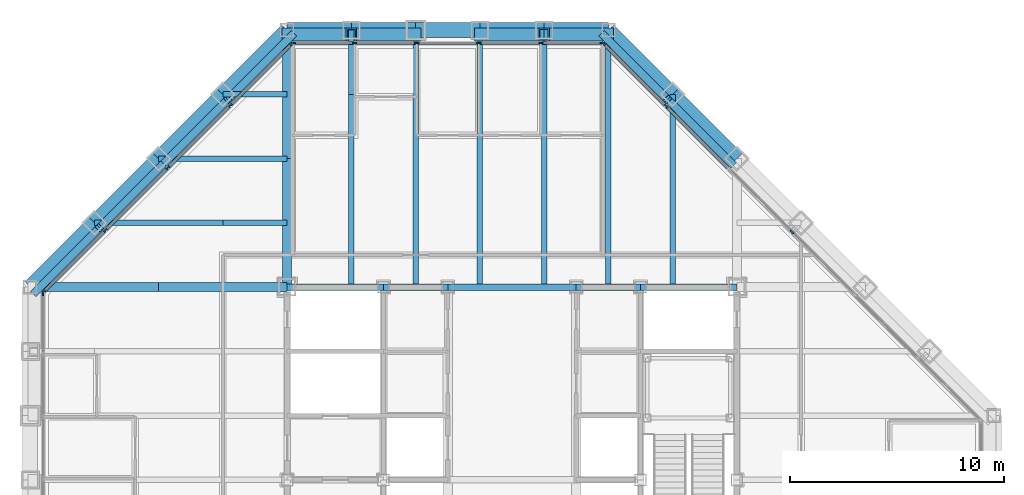
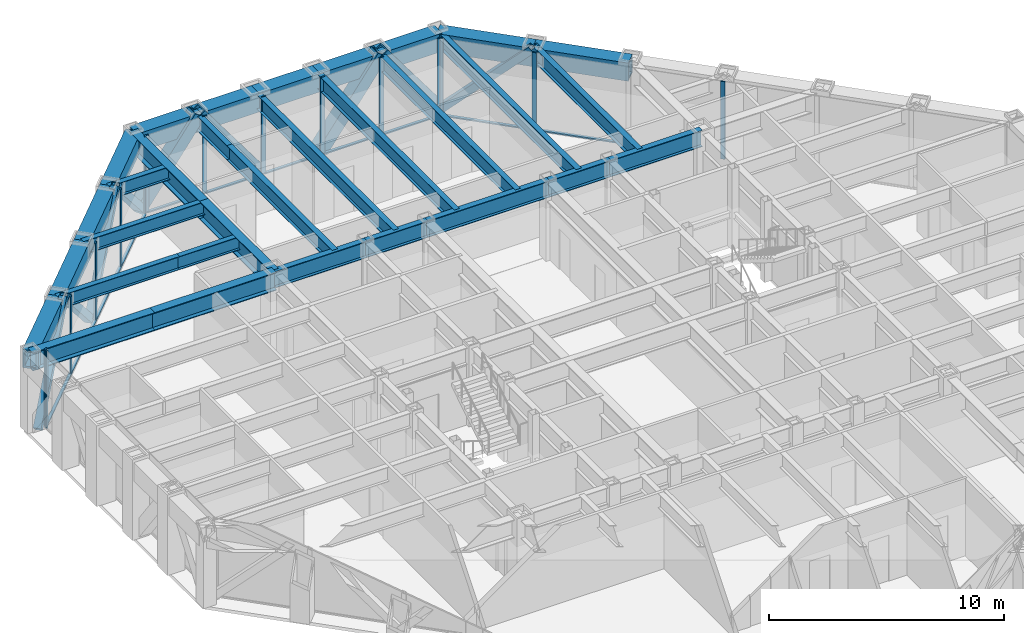
# One storey, part 8 of 16: 36 members, 31 beams, 4 elements without a shape of their own.
"""IFC4 building model written with IfcOpenShell, lengths in metres."""

from ifc_helpers import new_model, si_unit, direction, frame, origin, origin_2d, place, context, subcontext, project, spatial, rectangle, hollow_rectangle, i_section, extrude, material, layer, layer_set, material_profile, profile_set, type_object, element, aggregate, save


model = new_model("IFC4")

# Units and contexts
model_context = context("Model", 3, precision=1e-05, world=origin(), true_north=direction((0.0, 1.0)))
body_context = subcontext(model_context, "Body", "Model", "MODEL_VIEW")
ifc_project = project(units=[si_unit("LENGTHUNIT", "METRE"), si_unit("AREAUNIT", "SQUARE_METRE"), si_unit("VOLUMEUNIT", "CUBIC_METRE"), si_unit("PLANEANGLEUNIT", "RADIAN"), si_unit("MASSUNIT", "GRAM", prefix="KILO")], contexts=[model_context])

# Site, building, storey
site_placement = place(None, origin())
site = spatial("IfcSite", under=ifc_project, at=site_placement, CompositionType="ELEMENT")
building_placement = place(site_placement, origin())
building = spatial("IfcBuilding", under=site, at=building_placement, Name="Chuquiago Exchange Tower", CompositionType="ELEMENT")
storey_placement = place(building_placement, frame((0.0, 0.0, 247.5)))
storey = spatial("IfcBuildingStorey", under=building, at=storey_placement, Name="L55", CompositionType="ELEMENT", Elevation=247.5)

# Beams
ifc_material_1 = material(Name="Steel ASTM A992", Category="steel")
ifc_material_profile_1 = material_profile(ifc_material_1, i_section(OverallWidth=0.2919921875, OverallDepth=0.8583984375, WebThickness=0.01708984375, FlangeThickness=0.031005859375, at=origin_2d()), Name="W33X169")
ifc_profile_set_1 = profile_set([ifc_material_profile_1], Name="Steel ASTM A992")
beam_type_1 = type_object("IfcBeamType", Name="B3 W33X169", PredefinedType="BEAM", material=ifc_profile_set_1)
beam_1_placement = place(storey_placement, frame((12.0, 33.0, 3.610595703125), z_axis=(1.0, 0.0, 0.0), x_axis=(0.0, 1.0, 0.0)))
element("IfcBeam", 1, at=beam_1_placement, inside=storey, type_object=beam_type_1, Name="CB-L56-12_33-16.5_33", PredefinedType="BEAM", context=body_context, shape_type="SweptSolid", body=[
    extrude(i_section(OverallWidth=0.2919921875, OverallDepth=0.8583984375, WebThickness=0.01708984375, FlangeThickness=0.031005859375, at=origin_2d()), origin(), (0.0, 0.0, 1.0), 4.5),
])
beam_2_placement = place(storey_placement, frame((16.5, 33.0, 3.610595703125), z_axis=(1.0, 0.0, 0.0), x_axis=(0.0, 1.0, 0.0)))
element("IfcBeam", 2, at=beam_2_placement, inside=storey, type_object=beam_type_1, Name="CB-L56-16.5_33-19.5_33", PredefinedType="BEAM", context=body_context, shape_type="SweptSolid", body=[
    extrude(i_section(OverallWidth=0.2919921875, OverallDepth=0.8583984375, WebThickness=0.01708984375, FlangeThickness=0.031005859375, at=origin_2d()), origin(), (0.0, 0.0, 1.0), 3.0),
])
beam_3_placement = place(storey_placement, frame((19.5, 33.0, 3.610595703125), z_axis=(1.0, 0.0, 0.0), x_axis=(0.0, 1.0, 0.0)))
element("IfcBeam", 3, at=beam_3_placement, inside=storey, type_object=beam_type_1, Name="CB-L56-19.5_33-25.5_33", PredefinedType="BEAM", context=body_context, shape_type="SweptSolid", body=[
    extrude(i_section(OverallWidth=0.2919921875, OverallDepth=0.8583984375, WebThickness=0.01708984375, FlangeThickness=0.031005859375, at=origin_2d()), origin(), (0.0, 0.0, 1.0), 6.0),
])
beam_4_placement = place(storey_placement, frame((25.5, 33.0, 3.610595703125), z_axis=(1.0, 0.0, 0.0), x_axis=(0.0, 1.0, 0.0)))
element("IfcBeam", 4, at=beam_4_placement, inside=storey, type_object=beam_type_1, Name="CB-L56-25.5_33-28.5_33", PredefinedType="BEAM", context=body_context, shape_type="SweptSolid", body=[
    extrude(i_section(OverallWidth=0.2919921875, OverallDepth=0.8583984375, WebThickness=0.01708984375, FlangeThickness=0.031005859375, at=origin_2d()), origin(), (0.0, 0.0, 1.0), 3.0),
])
beam_5_placement = place(storey_placement, frame((28.5, 33.0, 3.610595703125), z_axis=(1.0, 0.0, 0.0), x_axis=(0.0, 1.0, 0.0)))
element("IfcBeam", 5, at=beam_5_placement, inside=storey, type_object=beam_type_1, Name="CB-L56-28.5_33-33_33", PredefinedType="BEAM", context=body_context, shape_type="SweptSolid", body=[
    extrude(i_section(OverallWidth=0.2919921875, OverallDepth=0.8583984375, WebThickness=0.01708984375, FlangeThickness=0.031005859375, at=origin_2d()), origin(), (0.0, 0.0, 1.0), 4.5),
])
ifc_material_2 = material(Name="Steel ASTM A992", Category="steel")
ifc_material_profile_2 = material_profile(ifc_material_2, i_section(OverallWidth=0.2666015625, OverallDepth=0.761962890625, WebThickness=0.014404296875, FlangeThickness=0.021484375, at=origin_2d()), Name="W30X116")
ifc_profile_set_2 = profile_set([ifc_material_profile_2], Name="Steel ASTM A992")
beam_type_2 = type_object("IfcBeamType", Name="B8 W30X116", PredefinedType="BEAM", material=ifc_profile_set_2)
beam_6_placement = place(storey_placement, frame((15.0, 33.0, 3.658935546875), z_axis=(0.0, 1.0, 0.0), x_axis=(-1.0, 0.0, 0.0)))
element("IfcBeam", 6, at=beam_6_placement, inside=storey, type_object=beam_type_2, Name="FB-L56-infill-15_33-15_45-0", PredefinedType="BEAM", context=body_context, shape_type="SweptSolid", body=[
    extrude(i_section(OverallWidth=0.2666015625, OverallDepth=0.761962890625, WebThickness=0.014404296875, FlangeThickness=0.021484375, at=origin_2d()), origin(), (0.0, 0.0, 1.0), 9.0),
])
beam_7_placement = place(storey_placement, frame((15.0, 42.0, 3.658935546875), z_axis=(0.0, 1.0, 0.0), x_axis=(-1.0, 0.0, 0.0)))
element("IfcBeam", 7, at=beam_7_placement, inside=storey, type_object=beam_type_2, Name="FB-L56-infill-15_33-15_45-1", PredefinedType="BEAM", context=body_context, shape_type="SweptSolid", body=[
    extrude(i_section(OverallWidth=0.2666015625, OverallDepth=0.761962890625, WebThickness=0.014404296875, FlangeThickness=0.021484375, at=origin_2d()), origin(), (0.0, 0.0, 1.0), 3.0),
])
for number, where, z_axis, x_axis, name in (
    (8, (18.0, 33.0, 3.658935546875), (0.0, 1.0, 0.0), (-1.0, 0.0, 0.0), "FB-L56-infill-18_33-18_45-0"),
    (9, (21.0, 33.0, 3.658935546875), (0.0, 1.0, 0.0), (-1.0, 0.0, 0.0), "FB-L56-infill-21_33-21_45-0"),
    (10, (24.0, 33.0, 3.658935546875), (0.0, 1.0, 0.0), (-1.0, 0.0, 0.0), "FB-L56-infill-24_33-24_45-0"),
    (11, (27.0, 33.0, 3.658935546875), (0.0, 1.0, 0.0), (-1.0, 0.0, 0.0), "FB-L56-infill-27_33-27_45-0"),
):
    element("IfcBeam", number, at=place(storey_placement, frame(where, z_axis=z_axis, x_axis=x_axis)), inside=storey, type_object=beam_type_2, Name=name, PredefinedType="BEAM", context=body_context, shape_type="SweptSolid", body=[
        extrude(i_section(OverallWidth=0.2666015625, OverallDepth=0.761962890625, WebThickness=0.014404296875, FlangeThickness=0.021484375, at=origin_2d()), origin(), (0.0, 0.0, 1.0), 12.0),
    ])
beam_8_placement = place(storey_placement, frame((30.0, 33.0, 3.658935546875), z_axis=(0.0, 1.0, 0.0), x_axis=(-1.0, 0.0, 0.0)))
element("IfcBeam", 12, at=beam_8_placement, inside=storey, type_object=beam_type_2, Name="FB-L56-infill-30_33-30_42-0", PredefinedType="BEAM", context=body_context, shape_type="SweptSolid", body=[
    extrude(i_section(OverallWidth=0.2666015625, OverallDepth=0.761962890625, WebThickness=0.014404296875, FlangeThickness=0.021484375, at=origin_2d()), origin(), (0.0, 0.0, 1.0), 9.0),
])
ifc_material_3 = material(Name="Steel ASTM A992", Category="steel")
ifc_material_profile_3 = material_profile(ifc_material_3, i_section(OverallWidth=0.256591796875, OverallDepth=0.693359375, WebThickness=0.014404296875, FlangeThickness=0.023681640625, at=origin_2d()), Name="W27X114")
ifc_profile_set_3 = profile_set([ifc_material_profile_3], Name="Steel ASTM A992")
beam_type_3 = type_object("IfcBeamType", Name="B9 W27X114", PredefinedType="BEAM", material=ifc_profile_set_3)
beam_9_placement = place(storey_placement, frame((12.0, 36.0, 3.693359375), z_axis=(-1.0, 0.0, 0.0), x_axis=(0.0, -1.0, 0.0)))
element("IfcBeam", 13, at=beam_9_placement, inside=storey, type_object=beam_type_3, Name="FB-L56-corner-12_36-3_36-0", PredefinedType="BEAM", context=body_context, shape_type="SweptSolid", body=[
    extrude(i_section(OverallWidth=0.256591796875, OverallDepth=0.693359375, WebThickness=0.014404296875, FlangeThickness=0.023681640625, at=origin_2d()), origin(), (0.0, 0.0, 1.0), 3.0),
])
for number, where, z_axis, x_axis, name in (
    (14, (9.0, 36.0, 3.693359375), (-1.0, 0.0, 0.0), (0.0, -1.0, 0.0), "FB-L56-corner-12_36-3_36-1"),
    (15, (12.0, 39.0, 3.693359375), (-1.0, 0.0, 0.0), (0.0, -1.0, 0.0), "FB-L56-corner-12_39-6_39-0"),
):
    element("IfcBeam", number, at=place(storey_placement, frame(where, z_axis=z_axis, x_axis=x_axis)), inside=storey, type_object=beam_type_3, Name=name, PredefinedType="BEAM", context=body_context, shape_type="SweptSolid", body=[
        extrude(i_section(OverallWidth=0.256591796875, OverallDepth=0.693359375, WebThickness=0.014404296875, FlangeThickness=0.023681640625, at=origin_2d()), origin(), (0.0, 0.0, 1.0), 6.0),
    ])
beam_10_placement = place(storey_placement, frame((12.0, 42.0, 3.693359375), z_axis=(-1.0, 0.0, 0.0), x_axis=(0.0, -1.0, 0.0)))
element("IfcBeam", 16, at=beam_10_placement, inside=storey, type_object=beam_type_3, Name="FB-L56-corner-12_42-9_42-0", PredefinedType="BEAM", context=body_context, shape_type="SweptSolid", body=[
    extrude(i_section(OverallWidth=0.256591796875, OverallDepth=0.693359375, WebThickness=0.014404296875, FlangeThickness=0.023681640625, at=origin_2d()), origin(), (0.0, 0.0, 1.0), 3.0),
])

# Curtain wall, members
ifc_material_4 = material(Name="Aluminium curtain wall system", Category="aluminium")
ifc_layer_1 = layer(ifc_material_4, 0.22509765625)
ifc_layer_set_1 = layer_set([ifc_layer_1], Name="CW2 office curtain wall")
curtain_wall_type_1 = type_object("IfcCurtainWallType", Name="CW2 office curtain wall", PredefinedType="NOTDEFINED", material=ifc_layer_set_1)
curtain_wall_1_placement = place(storey_placement, origin())
curtain_wall_1 = element("IfcCurtainWall", 17, at=curtain_wall_1_placement, inside=storey, type_object=curtain_wall_type_1, Name="CW2 curtain wall L55", PredefinedType="NOTDEFINED")
ifc_material_5 = material(Name="Aluminium mullion, pale anodised", Category="aluminium")
ifc_material_profile_4 = material_profile(ifc_material_5, rectangle(XDim=0.06494140625, YDim=0.22509765625, at=origin_2d()), Name="AL 65x225")
ifc_profile_set_4 = profile_set([ifc_material_profile_4], Name="Aluminium mullion, pale anodised")
member_type_1 = type_object("IfcMemberType", Name="CW2-M mullion 65x225", PredefinedType="MULLION", material=ifc_profile_set_4)
member_1_placement = place(storey_placement, frame((26.718994140625, 44.39990234375, 0.0), z_axis=(0.0, 0.0, 1.0), x_axis=(0.0, -1.0, 0.0)))
member_1 = element("IfcMember", 18, at=member_1_placement, type_object=member_type_1, Name="CW2 mullion 1", PredefinedType="MULLION", context=body_context, shape_type="SweptSolid", body=[
    extrude(rectangle(XDim=0.06494140625, YDim=0.22509765625, at=origin_2d()), origin(), (0.0, 0.0, 1.0), 4.0400390625),
])
member_2_placement = place(storey_placement, frame((23.850830078125, 44.39990234375, 0.0), z_axis=(0.0, 0.0, 1.0), x_axis=(0.0, -1.0, 0.0)))
member_2 = element("IfcMember", 19, at=member_2_placement, type_object=member_type_1, Name="CW2 mullion 2", PredefinedType="MULLION", context=body_context, shape_type="SweptSolid", body=[
    extrude(rectangle(XDim=0.06494140625, YDim=0.22509765625, at=origin_2d()), origin(), (0.0, 0.0, 1.0), 4.0400390625),
])
member_3_placement = place(storey_placement, frame((20.9501953125, 44.39990234375, 0.0), z_axis=(0.0, 0.0, 1.0), x_axis=(0.0, -1.0, 0.0)))
member_3 = element("IfcMember", 20, at=member_3_placement, type_object=member_type_1, Name="CW2 mullion 3", PredefinedType="MULLION", context=body_context, shape_type="SweptSolid", body=[
    extrude(rectangle(XDim=0.06494140625, YDim=0.22509765625, at=origin_2d()), origin(), (0.0, 0.0, 1.0), 4.0400390625),
])
member_4_placement = place(storey_placement, frame((18.0498046875, 44.39990234375, 0.0), z_axis=(0.0, 0.0, 1.0), x_axis=(0.0, -1.0, 0.0)))
member_4 = element("IfcMember", 21, at=member_4_placement, type_object=member_type_1, Name="CW2 mullion 4", PredefinedType="MULLION", context=body_context, shape_type="SweptSolid", body=[
    extrude(rectangle(XDim=0.06494140625, YDim=0.22509765625, at=origin_2d()), origin(), (0.0, 0.0, 1.0), 4.0400390625),
])
member_5_placement = place(storey_placement, frame((15.149169921875, 44.39990234375, 0.0), z_axis=(0.0, 0.0, 1.0), x_axis=(0.0, -1.0, 0.0)))
member_5 = element("IfcMember", 22, at=member_5_placement, type_object=member_type_1, Name="CW2 mullion 5", PredefinedType="MULLION", context=body_context, shape_type="SweptSolid", body=[
    extrude(rectangle(XDim=0.06494140625, YDim=0.22509765625, at=origin_2d()), origin(), (0.0, 0.0, 1.0), 4.0400390625),
])
member_6_placement = place(storey_placement, frame((12.281005859375, 44.39990234375, 0.0), z_axis=(0.0, 0.0, 1.0), x_axis=(0.0, -1.0, 0.0)))
member_6 = element("IfcMember", 23, at=member_6_placement, type_object=member_type_1, Name="CW2 mullion 6", PredefinedType="MULLION", context=body_context, shape_type="SweptSolid", body=[
    extrude(rectangle(XDim=0.06494140625, YDim=0.22509765625, at=origin_2d()), origin(), (0.0, 0.0, 1.0), 4.0400390625),
])

# Curtain wall, member
curtain_wall_2_placement = place(storey_placement, origin())
curtain_wall_2 = element("IfcCurtainWall", 24, at=curtain_wall_2_placement, inside=storey, type_object=curtain_wall_type_1, Name="CW2 curtain wall L55", PredefinedType="NOTDEFINED")
member_7_placement = place(storey_placement, frame((0.60009765625, 32.718994140625, 0.0), z_axis=(0.0, 0.0, 1.0), x_axis=(1.0, 0.0, 0.0)))
member_7 = element("IfcMember", 25, at=member_7_placement, type_object=member_type_1, Name="CW2 mullion 1", PredefinedType="MULLION", context=body_context, shape_type="SweptSolid", body=[
    extrude(rectangle(XDim=0.06494140625, YDim=0.22509765625, at=origin_2d()), origin(), (0.0, 0.0, 1.0), 4.0400390625),
])
aggregate(curtain_wall_2, [member_7])

# Member
ifc_material_6 = material(Name="Aluminium transom, pale anodised", Category="aluminium")
ifc_material_profile_5 = material_profile(ifc_material_6, rectangle(XDim=0.139892578125, YDim=0.06494140625, at=origin_2d()), Name="AL 140x65")
ifc_profile_set_5 = profile_set([ifc_material_profile_5], Name="Aluminium transom, pale anodised")
member_type_2 = type_object("IfcMemberType", Name="CW2-T transom 65x140", PredefinedType="MULLION", material=ifc_profile_set_5)
member_8_placement = place(storey_placement, frame((26.6865234375, 44.39990234375, 0.032470703125), z_axis=(-1.0, 0.0, 0.0), x_axis=(0.0, -1.0, 0.0)))
member_8 = element("IfcMember", 26, at=member_8_placement, type_object=member_type_2, Name="CW2 transom 1.1", PredefinedType="MULLION", context=body_context, shape_type="SweptSolid", body=[
    extrude(rectangle(XDim=0.139892578125, YDim=0.06494140625, at=origin_2d()), origin(), (0.0, 0.0, 1.0), 2.80322265625),
])

member_9_placement = place(storey_placement, frame((23.818359375, 44.39990234375, 0.032470703125), z_axis=(-1.0, 0.0, 0.0), x_axis=(0.0, -1.0, 0.0)))
member_9 = element("IfcMember", 27, at=member_9_placement, type_object=member_type_2, Name="CW2 transom 2.1", PredefinedType="MULLION", context=body_context, shape_type="SweptSolid", body=[
    extrude(rectangle(XDim=0.139892578125, YDim=0.06494140625, at=origin_2d()), origin(), (0.0, 0.0, 1.0), 2.83544921875),
])

member_10_placement = place(storey_placement, frame((20.917724609375, 44.39990234375, 0.032470703125), z_axis=(-1.0, 0.0, 0.0), x_axis=(0.0, -1.0, 0.0)))
member_10 = element("IfcMember", 28, at=member_10_placement, type_object=member_type_2, Name="CW2 transom 3.1", PredefinedType="MULLION", context=body_context, shape_type="SweptSolid", body=[
    extrude(rectangle(XDim=0.139892578125, YDim=0.06494140625, at=origin_2d()), origin(), (0.0, 0.0, 1.0), 2.83544921875),
])

member_11_placement = place(storey_placement, frame((18.01708984375, 44.39990234375, 0.032470703125), z_axis=(-1.0, 0.0, 0.0), x_axis=(0.0, -1.0, 0.0)))
member_11 = element("IfcMember", 29, at=member_11_placement, type_object=member_type_2, Name="CW2 transom 4.1", PredefinedType="MULLION", context=body_context, shape_type="SweptSolid", body=[
    extrude(rectangle(XDim=0.139892578125, YDim=0.06494140625, at=origin_2d()), origin(), (0.0, 0.0, 1.0), 2.83544921875),
])

member_12_placement = place(storey_placement, frame((15.11669921875, 44.39990234375, 0.032470703125), z_axis=(-1.0, 0.0, 0.0), x_axis=(0.0, -1.0, 0.0)))
member_12 = element("IfcMember", 30, at=member_12_placement, type_object=member_type_2, Name="CW2 transom 5.1", PredefinedType="MULLION", context=body_context, shape_type="SweptSolid", body=[
    extrude(rectangle(XDim=0.139892578125, YDim=0.06494140625, at=origin_2d()), origin(), (0.0, 0.0, 1.0), 2.80322265625),
])

aggregate(curtain_wall_1, [member_1, member_2, member_3, member_4, member_5, member_6, member_8, member_9, member_10, member_11, member_12])

# Curtain wall, members
ifc_material_7 = material(Name="Aluminium curtain wall system", Category="aluminium")
ifc_layer_2 = layer(ifc_material_7, 0.199951171875)
ifc_layer_set_2 = layer_set([ifc_layer_2], Name="CW3 facet curtain wall")
curtain_wall_type_2 = type_object("IfcCurtainWallType", Name="CW3 facet curtain wall", PredefinedType="NOTDEFINED", material=ifc_layer_set_2)
curtain_wall_3_placement = place(storey_placement, origin())
curtain_wall_3 = element("IfcCurtainWall", 31, at=curtain_wall_3_placement, inside=storey, type_object=curtain_wall_type_2, Name="CW3 curtain wall L55", PredefinedType="NOTDEFINED")
ifc_material_8 = material(Name="Aluminium mullion, pale anodised", Category="aluminium")
ifc_material_profile_6 = material_profile(ifc_material_8, rectangle(XDim=0.06494140625, YDim=0.199951171875, at=origin_2d()), Name="AL 65x200")
ifc_profile_set_6 = profile_set([ifc_material_profile_6], Name="Aluminium mullion, pale anodised")
member_type_3 = type_object("IfcMemberType", Name="CW3-M mullion 65x200", PredefinedType="MULLION", material=ifc_profile_set_6)
member_13_placement = place(storey_placement, frame((35.57568359375, 35.57568359375, 0.0), z_axis=(0.0, 0.0, 1.0), x_axis=(-0.707106781187, -0.707106781187, 0.0)))
member_13 = element("IfcMember", 32, at=member_13_placement, type_object=member_type_3, Name="CW3 mullion 4", PredefinedType="MULLION", context=body_context, shape_type="SweptSolid", body=[
    extrude(rectangle(XDim=0.06494140625, YDim=0.199951171875, at=origin_2d()), origin(), (0.0, 0.0, 1.0), 4.0400390625),
])
member_14_placement = place(storey_placement, frame((29.69287109375, 41.45849609375, 0.0), z_axis=(0.0, 0.0, 1.0), x_axis=(-0.707106781187, -0.707106781187, 0.0)))
member_14 = element("IfcMember", 33, at=member_14_placement, type_object=member_type_3, Name="CW3 mullion 6", PredefinedType="MULLION", context=body_context, shape_type="SweptSolid", body=[
    extrude(rectangle(XDim=0.06494140625, YDim=0.199951171875, at=origin_2d()), origin(), (0.0, 0.0, 1.0), 4.0400390625),
])
member_15_placement = place(storey_placement, frame((26.7744140625, 44.376953125, 0.0), z_axis=(0.0, 0.0, 1.0), x_axis=(-0.707106781187, -0.707106781187, 0.0)))
member_15 = element("IfcMember", 34, at=member_15_placement, type_object=member_type_3, Name="CW3 mullion 7", PredefinedType="MULLION", context=body_context, shape_type="SweptSolid", body=[
    extrude(rectangle(XDim=0.06494140625, YDim=0.199951171875, at=origin_2d()), origin(), (0.0, 0.0, 1.0), 4.0400390625),
])

curtain_wall_4_placement = place(storey_placement, origin())
curtain_wall_4 = element("IfcCurtainWall", 35, at=curtain_wall_4_placement, inside=storey, type_object=curtain_wall_type_2, Name="CW3 curtain wall L55", PredefinedType="NOTDEFINED")
member_16_placement = place(storey_placement, frame((12.2255859375, 44.376953125, 0.0), z_axis=(0.0, 0.0, 1.0), x_axis=(0.707106781187, -0.707106781187, 0.0)))
member_16 = element("IfcMember", 36, at=member_16_placement, type_object=member_type_3, Name="CW3 mullion 1", PredefinedType="MULLION", context=body_context, shape_type="SweptSolid", body=[
    extrude(rectangle(XDim=0.06494140625, YDim=0.199951171875, at=origin_2d()), origin(), (0.0, 0.0, 1.0), 4.0400390625),
])
member_17_placement = place(storey_placement, frame((9.33642578125, 41.48779296875, 0.0), z_axis=(0.0, 0.0, 1.0), x_axis=(0.707106781187, -0.707106781187, 0.0)))
member_17 = element("IfcMember", 37, at=member_17_placement, type_object=member_type_3, Name="CW3 mullion 2", PredefinedType="MULLION", context=body_context, shape_type="SweptSolid", body=[
    extrude(rectangle(XDim=0.06494140625, YDim=0.199951171875, at=origin_2d()), origin(), (0.0, 0.0, 1.0), 4.0400390625),
])
member_18_placement = place(storey_placement, frame((6.42431640625, 38.57568359375, 0.0), z_axis=(0.0, 0.0, 1.0), x_axis=(0.707106781187, -0.707106781187, 0.0)))
member_18 = element("IfcMember", 38, at=member_18_placement, type_object=member_type_3, Name="CW3 mullion 3", PredefinedType="MULLION", context=body_context, shape_type="SweptSolid", body=[
    extrude(rectangle(XDim=0.06494140625, YDim=0.199951171875, at=origin_2d()), origin(), (0.0, 0.0, 1.0), 4.0400390625),
])
member_19_placement = place(storey_placement, frame((3.51220703125, 35.66357421875, 0.0), z_axis=(0.0, 0.0, 1.0), x_axis=(0.707106781187, -0.707106781187, 0.0)))
member_19 = element("IfcMember", 39, at=member_19_placement, type_object=member_type_3, Name="CW3 mullion 4", PredefinedType="MULLION", context=body_context, shape_type="SweptSolid", body=[
    extrude(rectangle(XDim=0.06494140625, YDim=0.199951171875, at=origin_2d()), origin(), (0.0, 0.0, 1.0), 4.0400390625),
])
member_20_placement = place(storey_placement, frame((0.623046875, 32.7744140625, 0.0), z_axis=(0.0, 0.0, 1.0), x_axis=(0.707106781187, -0.707106781187, 0.0)))
member_20 = element("IfcMember", 40, at=member_20_placement, type_object=member_type_3, Name="CW3 mullion 5", PredefinedType="MULLION", context=body_context, shape_type="SweptSolid", body=[
    extrude(rectangle(XDim=0.06494140625, YDim=0.199951171875, at=origin_2d()), origin(), (0.0, 0.0, 1.0), 4.0400390625),
])

# Member
ifc_material_9 = material(Name="Aluminium transom, pale anodised", Category="aluminium")
ifc_material_profile_7 = material_profile(ifc_material_9, rectangle(XDim=0.139892578125, YDim=0.06494140625, at=origin_2d()), Name="AL 140x65")
ifc_profile_set_7 = profile_set([ifc_material_profile_7], Name="Aluminium transom, pale anodised")
member_type_4 = type_object("IfcMemberType", Name="CW3-T transom 65x140", PredefinedType="MULLION", material=ifc_profile_set_7)
member_21_placement = place(storey_placement, frame((32.611328125, 38.5400390625, 0.032470703125), z_axis=(-0.707106781187, 0.707106781187, 0.0), x_axis=(-0.707106781187, -0.707106781187, 0.0)))
member_21 = element("IfcMember", 41, at=member_21_placement, type_object=member_type_4, Name="CW3 transom 5.1", PredefinedType="MULLION", context=body_context, shape_type="SweptSolid", body=[
    extrude(rectangle(XDim=0.139892578125, YDim=0.06494140625, at=origin_2d()), origin(), (0.0, 0.0, 1.0), 4.094970703125),
])

member_22_placement = place(storey_placement, frame((29.669921875, 41.4814453125, 0.032470703125), z_axis=(-0.707106781187, 0.707106781187, 0.0), x_axis=(-0.707106781187, -0.707106781187, 0.0)))
member_22 = element("IfcMember", 42, at=member_22_placement, type_object=member_type_4, Name="CW3 transom 6.1", PredefinedType="MULLION", context=body_context, shape_type="SweptSolid", body=[
    extrude(rectangle(XDim=0.139892578125, YDim=0.06494140625, at=origin_2d()), origin(), (0.0, 0.0, 1.0), 4.0625),
])

aggregate(curtain_wall_3, [member_13, member_14, member_15, member_21, member_22])

member_23_placement = place(storey_placement, frame((12.20263671875, 44.35400390625, 0.032470703125), z_axis=(-0.707106781187, -0.707106781187, 0.0), x_axis=(0.707106781187, -0.707106781187, 0.0)))
member_23 = element("IfcMember", 43, at=member_23_placement, type_object=member_type_4, Name="CW3 transom 1.1", PredefinedType="MULLION", context=body_context, shape_type="SweptSolid", body=[
    extrude(rectangle(XDim=0.139892578125, YDim=0.06494140625, at=origin_2d()), origin(), (0.0, 0.0, 1.0), 4.02099609375),
])

member_24_placement = place(storey_placement, frame((9.3134765625, 41.46484375, 0.032470703125), z_axis=(-0.707106781187, -0.707106781187, 0.0), x_axis=(0.707106781187, -0.707106781187, 0.0)))
member_24 = element("IfcMember", 44, at=member_24_placement, type_object=member_type_4, Name="CW3 transom 2.1", PredefinedType="MULLION", context=body_context, shape_type="SweptSolid", body=[
    extrude(rectangle(XDim=0.139892578125, YDim=0.06494140625, at=origin_2d()), origin(), (0.0, 0.0, 1.0), 4.053466796875),
])

member_25_placement = place(storey_placement, frame((6.4013671875, 38.552734375, 0.032470703125), z_axis=(-0.707106781187, -0.707106781187, 0.0), x_axis=(0.707106781187, -0.707106781187, 0.0)))
member_25 = element("IfcMember", 45, at=member_25_placement, type_object=member_type_4, Name="CW3 transom 3.1", PredefinedType="MULLION", context=body_context, shape_type="SweptSolid", body=[
    extrude(rectangle(XDim=0.139892578125, YDim=0.06494140625, at=origin_2d()), origin(), (0.0, 0.0, 1.0), 4.053466796875),
])

member_26_placement = place(storey_placement, frame((3.4892578125, 35.640625, 0.032470703125), z_axis=(-0.707106781187, -0.707106781187, 0.0), x_axis=(0.707106781187, -0.707106781187, 0.0)))
member_26 = element("IfcMember", 46, at=member_26_placement, type_object=member_type_4, Name="CW3 transom 4.1", PredefinedType="MULLION", context=body_context, shape_type="SweptSolid", body=[
    extrude(rectangle(XDim=0.139892578125, YDim=0.06494140625, at=origin_2d()), origin(), (0.0, 0.0, 1.0), 4.02099609375),
])

aggregate(curtain_wall_4, [member_16, member_17, member_18, member_19, member_20, member_23, member_24, member_25, member_26])

# Beams
ifc_material_10 = material(Name="Steel ASTM A992", Category="steel")
ifc_material_profile_8 = material_profile(ifc_material_10, i_section(OverallWidth=0.424072265625, OverallDepth=0.947509765625, WebThickness=0.02392578125, FlangeThickness=0.042724609375, at=origin_2d()), Name="W36X302")
ifc_profile_set_8 = profile_set([ifc_material_profile_8], Name="Steel ASTM A992")
beam_type_4 = type_object("IfcBeamType", Name="G4 W36X302", PredefinedType="BEAM", material=ifc_profile_set_8)
for number, where, z_axis, x_axis, name in (
    (47, (12.0, 33.0, 3.56640625), (0.0, 1.0, 0.0), (-1.0, 0.0, 0.0), "FB-L56-girder-12_33-12_45-0"),
    (48, (12.0, 39.0, 3.56640625), (0.0, 1.0, 0.0), (-1.0, 0.0, 0.0), "FB-L56-girder-12_33-12_45-1"),
    (49, (12.0, 33.0, 3.56640625), (-1.0, 0.0, 0.0), (0.0, -1.0, 0.0), "FB-L56-girder-12_33--0_33-0"),
    (50, (6.0, 33.0, 3.56640625), (-1.0, 0.0, 0.0), (0.0, -1.0, 0.0), "FB-L56-girder-12_33--0_33-1"),
):
    element("IfcBeam", number, at=place(storey_placement, frame(where, z_axis=z_axis, x_axis=x_axis)), inside=storey, type_object=beam_type_4, Name=name, PredefinedType="BEAM", context=body_context, shape_type="SweptSolid", body=[
        extrude(i_section(OverallWidth=0.424072265625, OverallDepth=0.947509765625, WebThickness=0.02392578125, FlangeThickness=0.042724609375, at=origin_2d()), origin(), (0.0, 0.0, 1.0), 6.0),
    ])

# Members
ifc_material_11 = material(Name="Steel ASTM A500 Grade C", Category="steel")
ifc_material_profile_9 = material_profile(ifc_material_11, hollow_rectangle(XDim=0.355712890625, YDim=0.355712890625, WallThickness=0.0146484375, at=origin_2d()), Name="HSS14X14X5/8")
ifc_profile_set_9 = profile_set([ifc_material_profile_9], Name="Steel ASTM A500 Grade C")
member_type_5 = type_object("IfcMemberType", Name="LB2 HSS14X14X5/8", PredefinedType="BRACE", material=ifc_profile_set_9)
for number, where, z_axis, x_axis, name in (
    (51, (32.7685546875, 38.7685546875, 0.0), (-0.512077265487, 0.512077265487, 0.689604051861), (-0.707106781187, -0.707106781187, 0.0), "LB-L55-33_39-30_42"),
    (52, (26.7685546875, 44.7685546875, 0.0), (0.512077265487, -0.512077265487, 0.689604051861), (0.707106781187, 0.707106781187, 0.0), "LB-L55-30_42-27_45"),
    (53, (12.2314453125, 44.7685546875, 0.0), (-0.512077265487, -0.512077265487, 0.689604051861), (0.707106781187, -0.707106781187, 0.0), "LB-L55-12_45-9_42"),
    (54, (6.2314453125, 38.7685546875, 0.0), (0.512077265487, 0.512077265487, 0.689604051861), (-0.707106781187, 0.707106781187, 0.0), "LB-L55-9_42-6_39"),
    (55, (6.2314453125, 38.7685546875, 0.0), (-0.512077265487, -0.512077265487, 0.689604051861), (0.707106781187, -0.707106781187, 0.0), "LB-L55-6_39-3_36"),
    (56, (0.2314453125, 32.7685546875, 0.0), (0.512077265487, 0.512077265487, 0.689604051861), (-0.707106781187, 0.707106781187, 0.0), "LB-L55-3_36-0_33"),
):
    element("IfcMember", number, at=place(storey_placement, frame(where, z_axis=z_axis, x_axis=x_axis)), inside=storey, type_object=member_type_5, Name=name, PredefinedType="BRACE", context=body_context, shape_type="SweptSolid", body=[
        extrude(hollow_rectangle(XDim=0.355712890625, YDim=0.355712890625, WallThickness=0.0146484375, at=origin_2d()), origin(), (0.0, 0.0, 1.0), 5.8583984375),
    ])
ifc_material_12 = material(Name="Steel ASTM A572 Grade 50", Category="steel")
ifc_material_profile_10 = material_profile(ifc_material_12, hollow_rectangle(XDim=0.60009765625, YDim=0.60009765625, WallThickness=0.06005859375, at=origin_2d()), Name="BOX600X600X60")
ifc_profile_set_10 = profile_set([ifc_material_profile_10], Name="Steel ASTM A572 Grade 50")
member_type_6 = type_object("IfcMemberType", Name="MB3 BOX600X600X60", PredefinedType="BRACE", material=ifc_profile_set_10)
for number, where, z_axis, x_axis, name in (
    (57, (27.0, 44.794921875, 0.0), (-0.596173923302, 0.0, 0.802855312728), (0.0, -1.0, 0.0), "Mega diagonal L55 N face"),
    (58, (21.0, 44.794921875, 0.0), (0.596173923302, 0.0, 0.802855312728), (0.0, 1.0, 0.0), "Mega diagonal L55 N face"),
    (59, (18.0, 44.794921875, 0.0), (-0.596173923302, 0.0, 0.802855312728), (0.0, -1.0, 0.0), "Mega diagonal L55 N face"),
    (60, (12.0, 44.794921875, 0.0), (0.596173923302, 0.0, 0.802855312728), (0.0, 1.0, 0.0), "Mega diagonal L55 N face"),
):
    element("IfcMember", number, at=place(storey_placement, frame(where, z_axis=z_axis, x_axis=x_axis)), inside=storey, type_object=member_type_6, Name=name, PredefinedType="BRACE", context=body_context, shape_type="SweptSolid", body=[
        extrude(hollow_rectangle(XDim=0.60009765625, YDim=0.60009765625, WallThickness=0.06005859375, at=origin_2d()), origin(), (0.0, 0.0, 1.0), 5.031982421875),
    ])

# Beams
ifc_material_13 = material(Name="Steel ASTM A572 Grade 50", Category="steel")
ifc_material_profile_11 = material_profile(ifc_material_13, hollow_rectangle(XDim=0.699951171875, YDim=0.949951171875, WallThickness=0.10009765625, at=origin_2d()), Name="BOX950X700X100")
ifc_profile_set_11 = profile_set([ifc_material_profile_11], Name="Steel ASTM A572 Grade 50")
beam_type_5 = type_object("IfcBeamType", Name="SP5 BOX950X700X100", PredefinedType="SPANDREL", material=ifc_profile_set_11)
for number, where, z_axis, x_axis, name in (
    (61, (33.0, 39.0, 3.56494140625), (-0.707106781187, 0.707106781187, 0.0), (-0.707106781187, -0.707106781187, 0.0), "SPB-L56-33_39-30_42"),
    (62, (30.0, 42.0, 3.56494140625), (-0.707106781187, 0.707106781187, 0.0), (-0.707106781187, -0.707106781187, 0.0), "SPB-L56-30_42-27_45"),
):
    element("IfcBeam", number, at=place(storey_placement, frame(where, z_axis=z_axis, x_axis=x_axis)), inside=storey, type_object=beam_type_5, Name=name, PredefinedType="SPANDREL", context=body_context, shape_type="SweptSolid", body=[
        extrude(hollow_rectangle(XDim=0.699951171875, YDim=0.949951171875, WallThickness=0.10009765625, at=origin_2d()), origin(), (0.0, 0.0, 1.0), 4.24267578125),
    ])
for number, where, z_axis, x_axis, name in (
    (63, (27.0, 45.0, 3.56494140625), (-1.0, 0.0, 0.0), (0.0, -1.0, 0.0), "SPB-L56-27_45-24_45"),
    (64, (24.0, 45.0, 3.56494140625), (-1.0, 0.0, 0.0), (0.0, -1.0, 0.0), "SPB-L56-24_45-21_45"),
    (65, (21.0, 45.0, 3.56494140625), (-1.0, 0.0, 0.0), (0.0, -1.0, 0.0), "SPB-L56-21_45-18_45"),
    (66, (18.0, 45.0, 3.56494140625), (-1.0, 0.0, 0.0), (0.0, -1.0, 0.0), "SPB-L56-18_45-15_45"),
    (67, (15.0, 45.0, 3.56494140625), (-1.0, 0.0, 0.0), (0.0, -1.0, 0.0), "SPB-L56-15_45-12_45"),
):
    element("IfcBeam", number, at=place(storey_placement, frame(where, z_axis=z_axis, x_axis=x_axis)), inside=storey, type_object=beam_type_5, Name=name, PredefinedType="SPANDREL", context=body_context, shape_type="SweptSolid", body=[
        extrude(hollow_rectangle(XDim=0.699951171875, YDim=0.949951171875, WallThickness=0.10009765625, at=origin_2d()), origin(), (0.0, 0.0, 1.0), 3.0),
    ])
for number, where, z_axis, x_axis, name in (
    (68, (12.0, 45.0, 3.56494140625), (-0.707106781187, -0.707106781187, 0.0), (0.707106781187, -0.707106781187, 0.0), "SPB-L56-12_45-9_42"),
    (69, (9.0, 42.0, 3.56494140625), (-0.707106781187, -0.707106781187, 0.0), (0.707106781187, -0.707106781187, 0.0), "SPB-L56-9_42-6_39"),
    (70, (6.0, 39.0, 3.56494140625), (-0.707106781187, -0.707106781187, 0.0), (0.707106781187, -0.707106781187, 0.0), "SPB-L56-6_39-3_36"),
    (71, (3.0, 36.0, 3.56494140625), (-0.707106781187, -0.707106781187, 0.0), (0.707106781187, -0.707106781187, 0.0), "SPB-L56-3_36-0_33"),
):
    element("IfcBeam", number, at=place(storey_placement, frame(where, z_axis=z_axis, x_axis=x_axis)), inside=storey, type_object=beam_type_5, Name=name, PredefinedType="SPANDREL", context=body_context, shape_type="SweptSolid", body=[
        extrude(hollow_rectangle(XDim=0.699951171875, YDim=0.949951171875, WallThickness=0.10009765625, at=origin_2d()), origin(), (0.0, 0.0, 1.0), 4.24267578125),
    ])

save(model, "model.ifc")
